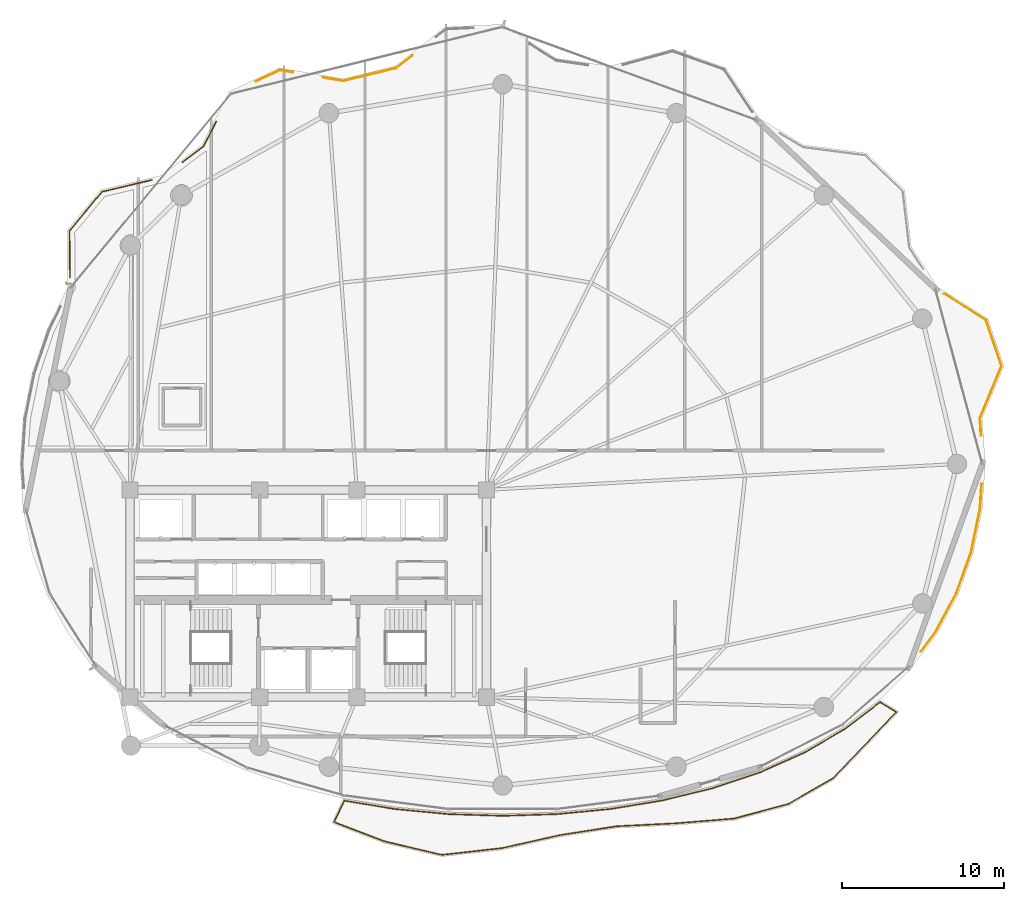
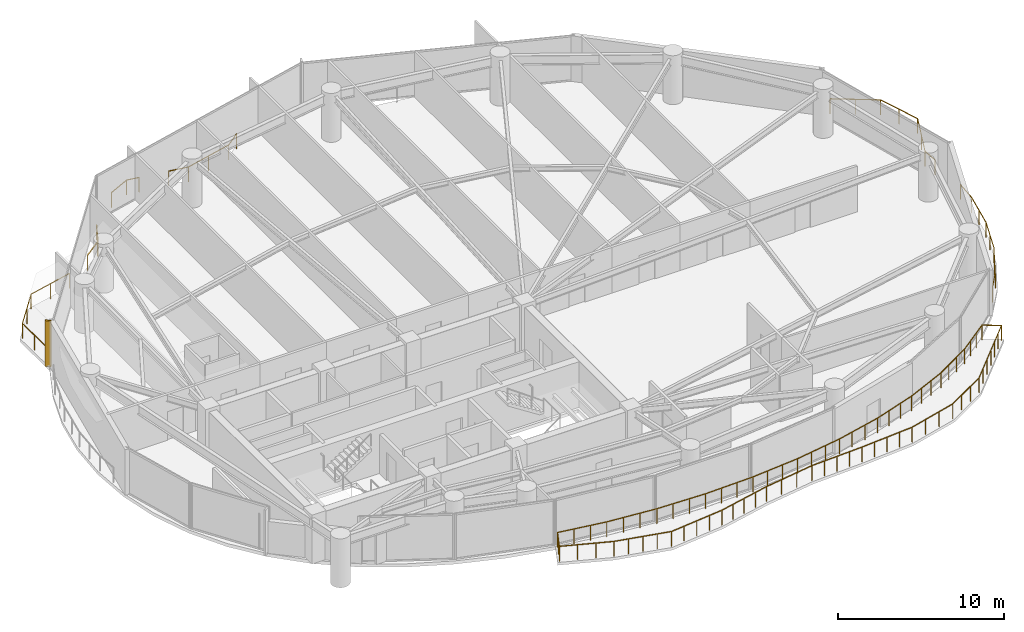
# One storey, part 27 of 28: 7 railings, 1 shading device.
"""IFC4 building model written with IfcOpenShell, lengths in metres."""

from ifc_helpers import new_model, si_unit, direction, frame, origin, origin_2d, place, context, subcontext, project, spatial, rectangle, extrude, material, type_object, element, save


model = new_model("IFC4")

# Units and contexts
model_context = context("Model", 3, precision=1e-05, world=origin(), true_north=direction((0.0, 1.0)))
body_context = subcontext(model_context, "Body", "Model", "MODEL_VIEW")
ifc_project = project(units=[si_unit("LENGTHUNIT", "METRE"), si_unit("AREAUNIT", "SQUARE_METRE"), si_unit("VOLUMEUNIT", "CUBIC_METRE"), si_unit("PLANEANGLEUNIT", "RADIAN"), si_unit("MASSUNIT", "GRAM", prefix="KILO")], contexts=[model_context])

# Site, building, storey
site_placement = place(None, origin())
site = spatial("IfcSite", under=ifc_project, at=site_placement, CompositionType="ELEMENT")
building_placement = place(site_placement, origin())
building = spatial("IfcBuilding", under=site, at=building_placement, Name="Kazevale Care Tower and Concert Hall", CompositionType="ELEMENT")
storey_placement = place(building_placement, frame((0.0, 0.0, 135.0)))
storey = spatial("IfcBuildingStorey", under=building, at=storey_placement, Name="L35", CompositionType="ELEMENT", Elevation=135.0)

# Railings
ifc_material_1 = material(Name="Anodised Bronze Aluminium and Laminated Glass", Category="aluminium")
railing_type = type_object("IfcRailingType", Name="Balcony and Terrace Balustrade 1120", PredefinedType="BALUSTRADE", material=ifc_material_1)
railing_1_placement = place(storey_placement, frame((18.284912109375, 49.514892578125, 0.0)))
element("IfcRailing", 1, at=railing_1_placement, inside=storey, type_object=railing_type, Name="rail:L35:perim:2", PredefinedType="BALUSTRADE", context=body_context, shape_type="SweptSolid", body=[
    extrude(rectangle(XDim=0.048095703125, YDim=0.048095703125, at=origin_2d()), frame((0.0, 0.0, 1.09619140625), z_axis=(-0.009663022595, 0.999953311907, 0.0), x_axis=(-0.999953311907, -0.009663022595, 0.0)), (0.0, 0.0, 1.0), 2.88037109375),
    extrude(rectangle(XDim=0.048095703125, YDim=0.048095703125, at=origin_2d()), frame((-0.02783203125, 2.880126953125, 1.09619140625), z_axis=(0.638670809668, 0.769480082184, 0.0), x_axis=(-0.769480082184, 0.638670809668, 0.0)), (0.0, 0.0, 1.0), 3.128173828125),
    extrude(rectangle(XDim=0.048095703125, YDim=0.048095703125, at=origin_2d()), frame((1.969970703125, 5.287109375, 1.09619140625), z_axis=(0.972887880692, 0.231277261318, 0.0), x_axis=(-0.231277261318, 0.972887880692, 0.0)), (0.0, 0.0, 1.0), 3.173095703125),
    extrude(rectangle(XDim=0.0419921875, YDim=0.0419921875, at=origin_2d()), origin(), (0.0, 0.0, 1.0), 1.072021484375),
    extrude(rectangle(XDim=0.0419921875, YDim=0.0419921875, at=origin_2d()), frame((-0.013916015625, 1.43994140625, 0.0)), (0.0, 0.0, 1.0), 1.072021484375),
    extrude(rectangle(XDim=0.0419921875, YDim=0.0419921875, at=origin_2d()), frame((-0.02783203125, 2.880126953125, 0.0)), (0.0, 0.0, 1.0), 1.072021484375),
    extrude(rectangle(XDim=0.0419921875, YDim=0.0419921875, at=origin_2d()), frame((0.97119140625, 4.08349609375, 0.0)), (0.0, 0.0, 1.0), 1.072021484375),
    extrude(rectangle(XDim=0.0419921875, YDim=0.0419921875, at=origin_2d()), frame((1.969970703125, 5.287109375, 0.0)), (0.0, 0.0, 1.0), 1.072021484375),
    extrude(rectangle(XDim=0.0419921875, YDim=0.0419921875, at=origin_2d()), frame((3.513671875, 5.654052734375, 0.0)), (0.0, 0.0, 1.0), 1.072021484375),
    extrude(rectangle(XDim=0.0419921875, YDim=0.0419921875, at=origin_2d()), frame((5.05712890625, 6.02099609375, 0.0)), (0.0, 0.0, 1.0), 1.072021484375),
])
railing_2_placement = place(storey_placement, frame((25.239013671875, 56.634033203125, 0.0)))
element("IfcRailing", 2, at=railing_2_placement, inside=storey, type_object=railing_type, Name="rail:L35:perim:3", PredefinedType="BALUSTRADE", context=body_context, shape_type="SweptSolid", body=[
    extrude(rectangle(XDim=0.048095703125, YDim=0.048095703125, at=origin_2d()), frame((0.0, 0.0, 1.09619140625), z_axis=(0.797677030582, 0.603084865406, 0.0), x_axis=(-0.603084865406, 0.797677030582, 0.0)), (0.0, 0.0, 1.0), 1.618408203125),
    extrude(rectangle(XDim=0.048095703125, YDim=0.048095703125, at=origin_2d()), frame((1.291015625, 0.97607421875, 1.09619140625), z_axis=(0.456653164706, 0.889644809553, 0.0), x_axis=(-0.889644809553, 0.456653164706, 0.0)), (0.0, 0.0, 1.0), 1.72314453125),
    extrude(rectangle(XDim=0.0419921875, YDim=0.0419921875, at=origin_2d()), origin(), (0.0, 0.0, 1.0), 1.072021484375),
    extrude(rectangle(XDim=0.0419921875, YDim=0.0419921875, at=origin_2d()), frame((1.291015625, 0.97607421875, 0.0)), (0.0, 0.0, 1.0), 1.072021484375),
    extrude(rectangle(XDim=0.0419921875, YDim=0.0419921875, at=origin_2d()), frame((2.077880859375, 2.509033203125, 0.0)), (0.0, 0.0, 1.0), 1.072021484375),
])
railing_3_placement = place(storey_placement, frame((29.77392578125, 61.62109375, 0.0)))
element("IfcRailing", 3, at=railing_3_placement, inside=storey, type_object=railing_type, Name="rail:L35:perim:4", PredefinedType="BALUSTRADE", context=body_context, shape_type="SweptSolid", body=[
    extrude(rectangle(XDim=0.048095703125, YDim=0.048095703125, at=origin_2d()), frame((0.0, 0.0, 1.09619140625), z_axis=(0.904089143641, 0.427343913436, 0.0), x_axis=(-0.427343913436, 0.904089143641, 0.0)), (0.0, 0.0, 1.0), 1.6259765625),
    extrude(rectangle(XDim=0.048095703125, YDim=0.048095703125, at=origin_2d()), frame((1.469970703125, 0.69482421875, 1.09619140625), z_axis=(0.985522864431, -0.169542571894, 0.0), x_axis=(0.169542571894, 0.985522864431, 0.0)), (0.0, 0.0, 1.0), 0.807861328125),
    extrude(rectangle(XDim=0.0419921875, YDim=0.0419921875, at=origin_2d()), origin(), (0.0, 0.0, 1.0), 1.072021484375),
    extrude(rectangle(XDim=0.0419921875, YDim=0.0419921875, at=origin_2d()), frame((1.469970703125, 0.69482421875, 0.0)), (0.0, 0.0, 1.0), 1.072021484375),
    extrude(rectangle(XDim=0.0419921875, YDim=0.0419921875, at=origin_2d()), frame((2.26611328125, 0.557861328125, 0.0)), (0.0, 0.0, 1.0), 1.072021484375),
])
railing_4_placement = place(storey_placement, frame((33.9130859375, 61.85791015625, 0.0)))
element("IfcRailing", 4, at=railing_4_placement, inside=storey, type_object=railing_type, Name="rail:L35:perim:5", PredefinedType="BALUSTRADE", context=body_context, shape_type="SweptSolid", body=[
    extrude(rectangle(XDim=0.048095703125, YDim=0.048095703125, at=origin_2d()), frame((0.0, 0.0, 1.09619140625), z_axis=(0.98554889076, -0.169391215599, 0.0), x_axis=(0.169391215599, 0.98554889076, 0.0)), (0.0, 0.0, 1.0), 1.268310546875),
    extrude(rectangle(XDim=0.048095703125, YDim=0.048095703125, at=origin_2d()), frame((1.25, -0.21484375, 1.09619140625), z_axis=(0.971597725557, 0.236638669056, 0.0), x_axis=(-0.236638669056, 0.971597725557, 0.0)), (0.0, 0.0, 1.0), 3.36328125),
    extrude(rectangle(XDim=0.048095703125, YDim=0.048095703125, at=origin_2d()), frame((4.517822265625, 0.5810546875, 1.09619140625), z_axis=(0.787242218243, 0.616643892224, 0.0), x_axis=(-0.616643892224, 0.787242218243, 0.0)), (0.0, 0.0, 1.0), 1.255126953125),
    extrude(rectangle(XDim=0.0419921875, YDim=0.0419921875, at=origin_2d()), origin(), (0.0, 0.0, 1.0), 1.072021484375),
    extrude(rectangle(XDim=0.0419921875, YDim=0.0419921875, at=origin_2d()), frame((1.25, -0.21484375, 0.0)), (0.0, 0.0, 1.0), 1.072021484375),
    extrude(rectangle(XDim=0.0419921875, YDim=0.0419921875, at=origin_2d()), frame((2.8837890625, 0.18310546875, 0.0)), (0.0, 0.0, 1.0), 1.072021484375),
    extrude(rectangle(XDim=0.0419921875, YDim=0.0419921875, at=origin_2d()), frame((4.517822265625, 0.5810546875, 0.0)), (0.0, 0.0, 1.0), 1.072021484375),
    extrude(rectangle(XDim=0.0419921875, YDim=0.0419921875, at=origin_2d()), frame((5.505859375, 1.35498046875, 0.0)), (0.0, 0.0, 1.0), 1.072021484375),
])
railing_5_placement = place(storey_placement, frame((74.576904296875, 36.76611328125, 0.0)))
element("IfcRailing", 5, at=railing_5_placement, inside=storey, type_object=railing_type, Name="rail:L35:perim:10", PredefinedType="BALUSTRADE", context=body_context, shape_type="SweptSolid", body=[
    extrude(rectangle(XDim=0.048095703125, YDim=0.048095703125, at=origin_2d()), frame((0.0, 0.0, 1.09619140625), z_axis=(-0.066164353261, -0.997808738365, 0.0), x_axis=(0.997808738365, -0.066164353261, 0.0)), (0.0, 0.0, 1.0), 1.553466796875),
    extrude(rectangle(XDim=0.048095703125, YDim=0.048095703125, at=origin_2d()), frame((-0.102783203125, -1.550048828125, 1.09619140625), z_axis=(-0.202611486218, -0.979259202485, 0.0), x_axis=(0.979259202485, -0.202611486218, 0.0)), (0.0, 0.0, 1.0), 2.744873046875),
    extrude(rectangle(XDim=0.048095703125, YDim=0.048095703125, at=origin_2d()), frame((-0.658935546875, -4.238037109375, 1.09619140625), z_axis=(-0.339653342944, -0.940550693279, 0.0), x_axis=(0.940550693279, -0.339653342944, 0.0)), (0.0, 0.0, 1.0), 2.70263671875),
    extrude(rectangle(XDim=0.048095703125, YDim=0.048095703125, at=origin_2d()), frame((-1.576904296875, -6.780029296875, 1.09619140625), z_axis=(-0.473735648305, -0.880667096879, 0.0), x_axis=(0.880667096879, -0.473735648305, 0.0)), (0.0, 0.0, 1.0), 2.6787109375),
    extrude(rectangle(XDim=0.048095703125, YDim=0.048095703125, at=origin_2d()), frame((-2.845947265625, -9.13916015625, 1.09619140625), z_axis=(-0.597990687273, -0.801503049236, 0.0), x_axis=(0.801503049236, -0.597990687273, 0.0)), (0.0, 0.0, 1.0), 1.498291015625),
    extrude(rectangle(XDim=0.0419921875, YDim=0.0419921875, at=origin_2d()), origin(), (0.0, 0.0, 1.0), 1.072021484375),
    extrude(rectangle(XDim=0.0419921875, YDim=0.0419921875, at=origin_2d()), frame((-0.102783203125, -1.550048828125, 0.0)), (0.0, 0.0, 1.0), 1.072021484375),
    extrude(rectangle(XDim=0.0419921875, YDim=0.0419921875, at=origin_2d()), frame((-0.380859375, -2.89404296875, 0.0)), (0.0, 0.0, 1.0), 1.072021484375),
    extrude(rectangle(XDim=0.0419921875, YDim=0.0419921875, at=origin_2d()), frame((-0.658935546875, -4.238037109375, 0.0)), (0.0, 0.0, 1.0), 1.072021484375),
    extrude(rectangle(XDim=0.0419921875, YDim=0.0419921875, at=origin_2d()), frame((-1.117919921875, -5.509033203125, 0.0)), (0.0, 0.0, 1.0), 1.072021484375),
    extrude(rectangle(XDim=0.0419921875, YDim=0.0419921875, at=origin_2d()), frame((-1.576904296875, -6.780029296875, 0.0)), (0.0, 0.0, 1.0), 1.072021484375),
    extrude(rectangle(XDim=0.0419921875, YDim=0.0419921875, at=origin_2d()), frame((-2.21142578125, -7.95947265625, 0.0)), (0.0, 0.0, 1.0), 1.072021484375),
    extrude(rectangle(XDim=0.0419921875, YDim=0.0419921875, at=origin_2d()), frame((-2.845947265625, -9.13916015625, 0.0)), (0.0, 0.0, 1.0), 1.072021484375),
    extrude(rectangle(XDim=0.0419921875, YDim=0.0419921875, at=origin_2d()), frame((-3.741943359375, -10.340087890625, 0.0)), (0.0, 0.0, 1.0), 1.072021484375),
])
railing_6_placement = place(storey_placement, frame((72.26904296875, 48.50390625, 0.0)))
element("IfcRailing", 6, at=railing_6_placement, inside=storey, type_object=railing_type, Name="rail:L35:perim:11", PredefinedType="BALUSTRADE", context=body_context, shape_type="SweptSolid", body=[
    extrude(rectangle(XDim=0.048095703125, YDim=0.048095703125, at=origin_2d()), frame((0.0, 0.0, 1.09619140625), z_axis=(0.845853460202, -0.533415338985, 0.0), x_axis=(0.533415338985, 0.845853460202, 0.0)), (0.0, 0.0, 1.0), 3.0537109375),
    extrude(rectangle(XDim=0.048095703125, YDim=0.048095703125, at=origin_2d()), frame((2.5830078125, -1.62890625, 1.09619140625), z_axis=(0.319318641442, -0.94764740554, 0.0), x_axis=(0.94764740554, 0.319318641442, 0.0)), (0.0, 0.0, 1.0), 2.984130859375),
    extrude(rectangle(XDim=0.048095703125, YDim=0.048095703125, at=origin_2d()), frame((3.535888671875, -4.456787109375, 1.09619140625), z_axis=(-0.384555415187, -0.923101908052, 0.0), x_axis=(0.923101908052, -0.384555415187, 0.0)), (0.0, 0.0, 1.0), 3.468994140625),
    extrude(rectangle(XDim=0.048095703125, YDim=0.048095703125, at=origin_2d()), frame((2.201904296875, -7.658935546875, 1.09619140625), z_axis=(0.06569131841, -0.997839992527, 0.0), x_axis=(0.997839992527, 0.06569131841, 0.0)), (0.0, 0.0, 1.0), 1.096435546875),
    extrude(rectangle(XDim=0.0419921875, YDim=0.0419921875, at=origin_2d()), origin(), (0.0, 0.0, 1.0), 1.072021484375),
    extrude(rectangle(XDim=0.0419921875, YDim=0.0419921875, at=origin_2d()), frame((1.29150390625, -0.814453125, 0.0)), (0.0, 0.0, 1.0), 1.072021484375),
    extrude(rectangle(XDim=0.0419921875, YDim=0.0419921875, at=origin_2d()), frame((2.5830078125, -1.62890625, 0.0)), (0.0, 0.0, 1.0), 1.072021484375),
    extrude(rectangle(XDim=0.0419921875, YDim=0.0419921875, at=origin_2d()), frame((3.0595703125, -3.04296875, 0.0)), (0.0, 0.0, 1.0), 1.072021484375),
    extrude(rectangle(XDim=0.0419921875, YDim=0.0419921875, at=origin_2d()), frame((3.535888671875, -4.456787109375, 0.0)), (0.0, 0.0, 1.0), 1.072021484375),
    extrude(rectangle(XDim=0.0419921875, YDim=0.0419921875, at=origin_2d()), frame((2.868896484375, -6.057861328125, 0.0)), (0.0, 0.0, 1.0), 1.072021484375),
    extrude(rectangle(XDim=0.0419921875, YDim=0.0419921875, at=origin_2d()), frame((2.201904296875, -7.658935546875, 0.0)), (0.0, 0.0, 1.0), 1.072021484375),
    extrude(rectangle(XDim=0.0419921875, YDim=0.0419921875, at=origin_2d()), frame((2.27392578125, -8.7529296875, 0.0)), (0.0, 0.0, 1.0), 1.072021484375),
])
railing_7_placement = place(storey_placement, frame((35.22509765625, 17.2099609375, 0.0)))
element("IfcRailing", 7, at=railing_7_placement, inside=storey, type_object=railing_type, Name="rail:L35:balcony", PredefinedType="BALUSTRADE", context=body_context, shape_type="SweptSolid", body=[
    extrude(rectangle(XDim=0.048095703125, YDim=0.048095703125, at=origin_2d()), frame((0.0, 0.0, 1.09619140625), z_axis=(0.986720826515, -0.162425399869, 0.0), x_axis=(0.162425399869, 0.986720826515, 0.0)), (0.0, 0.0, 1.0), 3.169921875),
    extrude(rectangle(XDim=0.048095703125, YDim=0.048095703125, at=origin_2d()), frame((3.1279296875, -0.514892578125, 1.09619140625), z_axis=(0.995477928413, -0.09499312629, 0.0), x_axis=(0.09499312629, 0.995477928413, 0.0)), (0.0, 0.0, 1.0), 3.31787109375),
    extrude(rectangle(XDim=0.048095703125, YDim=0.048095703125, at=origin_2d()), frame((6.430908203125, -0.830078125, 1.09619140625), z_axis=(0.999507580629, -0.031378276971, 0.0), x_axis=(0.031378276971, 0.999507580629, 0.0)), (0.0, 0.0, 1.0), 3.345703125),
    extrude(rectangle(XDim=0.048095703125, YDim=0.048095703125, at=origin_2d()), frame((9.77490234375, -0.93505859375, 1.09619140625), z_axis=(0.999507580629, 0.031378276971, 0.0), x_axis=(-0.031378276971, 0.999507580629, 0.0)), (0.0, 0.0, 1.0), 3.345703125),
    extrude(rectangle(XDim=0.048095703125, YDim=0.048095703125, at=origin_2d()), frame((13.118896484375, -0.830078125, 1.09619140625), z_axis=(0.995477928413, 0.09499312629, 0.0), x_axis=(-0.09499312629, 0.995477928413, 0.0)), (0.0, 0.0, 1.0), 3.31787109375),
    extrude(rectangle(XDim=0.048095703125, YDim=0.048095703125, at=origin_2d()), frame((16.421875, -0.514892578125, 1.09619140625), z_axis=(0.986673526711, 0.162712481659, 0.0), x_axis=(-0.162712481659, 0.986673526711, 0.0)), (0.0, 0.0, 1.0), 3.263427734375),
    extrude(rectangle(XDim=0.048095703125, YDim=0.048095703125, at=origin_2d()), frame((19.641845703125, 0.01611328125, 1.09619140625), z_axis=(0.971769261323, 0.235933259095, 0.0), x_axis=(-0.235933259095, 0.971769261323, 0.0)), (0.0, 0.0, 1.0), 3.187255859375),
    extrude(rectangle(XDim=0.048095703125, YDim=0.048095703125, at=origin_2d()), frame((22.739013671875, 0.76806640625, 1.09619140625), z_axis=(0.948264523365, 0.317481328155, 0.0), x_axis=(-0.317481328155, 0.948264523365, 0.0)), (0.0, 0.0, 1.0), 3.095947265625),
    extrude(rectangle(XDim=0.048095703125, YDim=0.048095703125, at=origin_2d()), frame((25.6748046875, 1.7509765625, 1.09619140625), z_axis=(0.913377633239, 0.407113373766, 0.0), x_axis=(-0.407113373766, 0.913377633239, 0.0)), (0.0, 0.0, 1.0), 2.99658203125),
    extrude(rectangle(XDim=0.048095703125, YDim=0.048095703125, at=origin_2d()), frame((28.411865234375, 2.970947265625, 1.09619140625), z_axis=(0.863507127078, 0.504336635082, 0.0), x_axis=(-0.504336635082, 0.863507127078, 0.0)), (0.0, 0.0, 1.0), 2.901123046875),
    extrude(rectangle(XDim=0.048095703125, YDim=0.048095703125, at=origin_2d()), frame((30.9169921875, 4.43408203125, 1.09619140625), z_axis=(0.795030778338, 0.606569090455, 0.0), x_axis=(-0.606569090455, 0.795030778338, 0.0)), (0.0, 0.0, 1.0), 2.726806640625),
    extrude(rectangle(XDim=0.048095703125, YDim=0.048095703125, at=origin_2d()), frame((33.0849609375, 6.088134765625, 1.09619140625), z_axis=(0.847893082394, -0.530167257409, 0.0), x_axis=(0.530167257409, 0.847893082394, 0.0)), (0.0, 0.0, 1.0), 1.17333984375),
    extrude(rectangle(XDim=0.048095703125, YDim=0.048095703125, at=origin_2d()), frame((34.079833984375, 5.466064453125, 1.09619140625), z_axis=(-0.691819317021, -0.722070656235, 0.0), x_axis=(0.722070656235, -0.691819317021, 0.0)), (0.0, 0.0, 1.0), 2.711669921875),
    extrude(rectangle(XDim=0.048095703125, YDim=0.048095703125, at=origin_2d()), frame((32.203857421875, 3.508056640625, 1.09619140625), z_axis=(-0.692373129824, -0.721539637926, 0.0), x_axis=(0.721539637926, -0.692373129824, 0.0)), (0.0, 0.0, 1.0), 2.946533203125),
    extrude(rectangle(XDim=0.048095703125, YDim=0.048095703125, at=origin_2d()), frame((30.163818359375, 1.382080078125, 1.09619140625), z_axis=(-0.866344262418, -0.499447313513, 0.0), x_axis=(0.499447313513, -0.866344262418, 0.0)), (0.0, 0.0, 1.0), 3.17529296875),
    extrude(rectangle(XDim=0.048095703125, YDim=0.048095703125, at=origin_2d()), frame((27.412841796875, -0.203857421875, 1.09619140625), z_axis=(-0.965789205563, -0.259328383365, 0.0), x_axis=(0.259328383365, -0.965789205563, 0.0)), (0.0, 0.0, 1.0), 3.474853515625),
    extrude(rectangle(XDim=0.048095703125, YDim=0.048095703125, at=origin_2d()), frame((24.056884765625, -1.10498046875, 1.09619140625), z_axis=(-0.99674250698, -0.08064970415, 0.0), x_axis=(0.08064970415, -0.99674250698, 0.0)), (0.0, 0.0, 1.0), 3.6689453125),
    extrude(rectangle(XDim=0.048095703125, YDim=0.048095703125, at=origin_2d()), frame((20.39990234375, -1.40087890625, 1.09619140625), z_axis=(-0.998760611033, -0.049771898194, 0.0), x_axis=(0.049771898194, -0.998760611033, 0.0)), (0.0, 0.0, 1.0), 3.600341796875),
    extrude(rectangle(XDim=0.048095703125, YDim=0.048095703125, at=origin_2d()), frame((16.803955078125, -1.580078125, 1.09619140625), z_axis=(-0.988120917742, -0.153678404213, 0.0), x_axis=(0.153678404213, -0.988120917742, 0.0)), (0.0, 0.0, 1.0), 3.518798828125),
    extrude(rectangle(XDim=0.048095703125, YDim=0.048095703125, at=origin_2d()), frame((13.326904296875, -2.120849609375, 1.09619140625), z_axis=(-0.97558083091, -0.219640711983, 0.0), x_axis=(0.219640711983, -0.97558083091, 0.0)), (0.0, 0.0, 1.0), 3.661376953125),
    extrude(rectangle(XDim=0.048095703125, YDim=0.048095703125, at=origin_2d()), frame((9.7548828125, -2.925048828125, 1.09619140625), z_axis=(-0.993778008457, -0.111378947326, 0.0), x_axis=(0.111378947326, -0.993778008457, 0.0)), (0.0, 0.0, 1.0), 3.761474609375),
    extrude(rectangle(XDim=0.048095703125, YDim=0.048095703125, at=origin_2d()), frame((6.016845703125, -3.343994140625, 1.09619140625), z_axis=(-0.973441830455, 0.228934494389, 0.0), x_axis=(-0.228934494389, -0.973441830455, 0.0)), (0.0, 0.0, 1.0), 3.63427734375),
    extrude(rectangle(XDim=0.048095703125, YDim=0.048095703125, at=origin_2d()), frame((2.47900390625, -2.511962890625, 1.09619140625), z_axis=(-0.93370239713, 0.358050043421, 0.0), x_axis=(-0.358050043421, -0.93370239713, 0.0)), (0.0, 0.0, 1.0), 3.328857421875),
    extrude(rectangle(XDim=0.048095703125, YDim=0.048095703125, at=origin_2d()), frame((-0.629150390625, -1.320068359375, 1.09619140625), z_axis=(0.430238145043, 0.902715425009, 0.0), x_axis=(-0.902715425009, 0.430238145043, 0.0)), (0.0, 0.0, 1.0), 1.46240234375),
    extrude(rectangle(XDim=0.0419921875, YDim=0.0419921875, at=origin_2d()), origin(), (0.0, 0.0, 1.0), 1.072021484375),
    extrude(rectangle(XDim=0.0419921875, YDim=0.0419921875, at=origin_2d()), frame((1.042724609375, -0.171630859375, 0.0)), (0.0, 0.0, 1.0), 1.072021484375),
    extrude(rectangle(XDim=0.0419921875, YDim=0.0419921875, at=origin_2d()), frame((2.085205078125, -0.34326171875, 0.0)), (0.0, 0.0, 1.0), 1.072021484375),
    extrude(rectangle(XDim=0.0419921875, YDim=0.0419921875, at=origin_2d()), frame((3.1279296875, -0.514892578125, 0.0)), (0.0, 0.0, 1.0), 1.072021484375),
    extrude(rectangle(XDim=0.0419921875, YDim=0.0419921875, at=origin_2d()), frame((4.22900390625, -0.619873046875, 0.0)), (0.0, 0.0, 1.0), 1.072021484375),
    extrude(rectangle(XDim=0.0419921875, YDim=0.0419921875, at=origin_2d()), frame((5.329833984375, -0.72509765625, 0.0)), (0.0, 0.0, 1.0), 1.072021484375),
    extrude(rectangle(XDim=0.0419921875, YDim=0.0419921875, at=origin_2d()), frame((6.430908203125, -0.830078125, 0.0)), (0.0, 0.0, 1.0), 1.072021484375),
    extrude(rectangle(XDim=0.0419921875, YDim=0.0419921875, at=origin_2d()), frame((7.545654296875, -0.864990234375, 0.0)), (0.0, 0.0, 1.0), 1.072021484375),
    extrude(rectangle(XDim=0.0419921875, YDim=0.0419921875, at=origin_2d()), frame((8.66015625, -0.900146484375, 0.0)), (0.0, 0.0, 1.0), 1.072021484375),
    extrude(rectangle(XDim=0.0419921875, YDim=0.0419921875, at=origin_2d()), frame((9.77490234375, -0.93505859375, 0.0)), (0.0, 0.0, 1.0), 1.072021484375),
    extrude(rectangle(XDim=0.0419921875, YDim=0.0419921875, at=origin_2d()), frame((10.8896484375, -0.900146484375, 0.0)), (0.0, 0.0, 1.0), 1.072021484375),
    extrude(rectangle(XDim=0.0419921875, YDim=0.0419921875, at=origin_2d()), frame((12.004150390625, -0.864990234375, 0.0)), (0.0, 0.0, 1.0), 1.072021484375),
    extrude(rectangle(XDim=0.0419921875, YDim=0.0419921875, at=origin_2d()), frame((13.118896484375, -0.830078125, 0.0)), (0.0, 0.0, 1.0), 1.072021484375),
    extrude(rectangle(XDim=0.0419921875, YDim=0.0419921875, at=origin_2d()), frame((14.219970703125, -0.72509765625, 0.0)), (0.0, 0.0, 1.0), 1.072021484375),
    extrude(rectangle(XDim=0.0419921875, YDim=0.0419921875, at=origin_2d()), frame((15.32080078125, -0.619873046875, 0.0)), (0.0, 0.0, 1.0), 1.072021484375),
    extrude(rectangle(XDim=0.0419921875, YDim=0.0419921875, at=origin_2d()), frame((16.421875, -0.514892578125, 0.0)), (0.0, 0.0, 1.0), 1.072021484375),
    extrude(rectangle(XDim=0.0419921875, YDim=0.0419921875, at=origin_2d()), frame((17.4951171875, -0.337890625, 0.0)), (0.0, 0.0, 1.0), 1.072021484375),
    extrude(rectangle(XDim=0.0419921875, YDim=0.0419921875, at=origin_2d()), frame((18.568603515625, -0.160888671875, 0.0)), (0.0, 0.0, 1.0), 1.072021484375),
    extrude(rectangle(XDim=0.0419921875, YDim=0.0419921875, at=origin_2d()), frame((19.641845703125, 0.01611328125, 0.0)), (0.0, 0.0, 1.0), 1.072021484375),
    extrude(rectangle(XDim=0.0419921875, YDim=0.0419921875, at=origin_2d()), frame((20.67431640625, 0.266845703125, 0.0)), (0.0, 0.0, 1.0), 1.072021484375),
    extrude(rectangle(XDim=0.0419921875, YDim=0.0419921875, at=origin_2d()), frame((21.70654296875, 0.517333984375, 0.0)), (0.0, 0.0, 1.0), 1.072021484375),
    extrude(rectangle(XDim=0.0419921875, YDim=0.0419921875, at=origin_2d()), frame((22.739013671875, 0.76806640625, 0.0)), (0.0, 0.0, 1.0), 1.072021484375),
    extrude(rectangle(XDim=0.0419921875, YDim=0.0419921875, at=origin_2d()), frame((23.717529296875, 1.095703125, 0.0)), (0.0, 0.0, 1.0), 1.072021484375),
    extrude(rectangle(XDim=0.0419921875, YDim=0.0419921875, at=origin_2d()), frame((24.6962890625, 1.42333984375, 0.0)), (0.0, 0.0, 1.0), 1.072021484375),
    extrude(rectangle(XDim=0.0419921875, YDim=0.0419921875, at=origin_2d()), frame((25.6748046875, 1.7509765625, 0.0)), (0.0, 0.0, 1.0), 1.072021484375),
    extrude(rectangle(XDim=0.0419921875, YDim=0.0419921875, at=origin_2d()), frame((26.587158203125, 2.15771484375, 0.0)), (0.0, 0.0, 1.0), 1.072021484375),
    extrude(rectangle(XDim=0.0419921875, YDim=0.0419921875, at=origin_2d()), frame((27.49951171875, 2.564208984375, 0.0)), (0.0, 0.0, 1.0), 1.072021484375),
    extrude(rectangle(XDim=0.0419921875, YDim=0.0419921875, at=origin_2d()), frame((28.411865234375, 2.970947265625, 0.0)), (0.0, 0.0, 1.0), 1.072021484375),
    extrude(rectangle(XDim=0.0419921875, YDim=0.0419921875, at=origin_2d()), frame((29.246826171875, 3.458740234375, 0.0)), (0.0, 0.0, 1.0), 1.072021484375),
    extrude(rectangle(XDim=0.0419921875, YDim=0.0419921875, at=origin_2d()), frame((30.08203125, 3.9462890625, 0.0)), (0.0, 0.0, 1.0), 1.072021484375),
    extrude(rectangle(XDim=0.0419921875, YDim=0.0419921875, at=origin_2d()), frame((30.9169921875, 4.43408203125, 0.0)), (0.0, 0.0, 1.0), 1.072021484375),
    extrude(rectangle(XDim=0.0419921875, YDim=0.0419921875, at=origin_2d()), frame((31.6396484375, 4.9853515625, 0.0)), (0.0, 0.0, 1.0), 1.072021484375),
    extrude(rectangle(XDim=0.0419921875, YDim=0.0419921875, at=origin_2d()), frame((32.3623046875, 5.536865234375, 0.0)), (0.0, 0.0, 1.0), 1.072021484375),
    extrude(rectangle(XDim=0.0419921875, YDim=0.0419921875, at=origin_2d()), frame((33.0849609375, 6.088134765625, 0.0)), (0.0, 0.0, 1.0), 1.072021484375),
    extrude(rectangle(XDim=0.0419921875, YDim=0.0419921875, at=origin_2d()), frame((34.079833984375, 5.466064453125, 0.0)), (0.0, 0.0, 1.0), 1.072021484375),
    extrude(rectangle(XDim=0.0419921875, YDim=0.0419921875, at=origin_2d()), frame((33.45458984375, 4.8134765625, 0.0)), (0.0, 0.0, 1.0), 1.072021484375),
    extrude(rectangle(XDim=0.0419921875, YDim=0.0419921875, at=origin_2d()), frame((32.8291015625, 4.16064453125, 0.0)), (0.0, 0.0, 1.0), 1.072021484375),
    extrude(rectangle(XDim=0.0419921875, YDim=0.0419921875, at=origin_2d()), frame((32.203857421875, 3.508056640625, 0.0)), (0.0, 0.0, 1.0), 1.072021484375),
    extrude(rectangle(XDim=0.0419921875, YDim=0.0419921875, at=origin_2d()), frame((31.52392578125, 2.79931640625, 0.0)), (0.0, 0.0, 1.0), 1.072021484375),
    extrude(rectangle(XDim=0.0419921875, YDim=0.0419921875, at=origin_2d()), frame((30.84375, 2.0908203125, 0.0)), (0.0, 0.0, 1.0), 1.072021484375),
    extrude(rectangle(XDim=0.0419921875, YDim=0.0419921875, at=origin_2d()), frame((30.163818359375, 1.382080078125, 0.0)), (0.0, 0.0, 1.0), 1.072021484375),
    extrude(rectangle(XDim=0.0419921875, YDim=0.0419921875, at=origin_2d()), frame((29.246826171875, 0.853515625, 0.0)), (0.0, 0.0, 1.0), 1.072021484375),
    extrude(rectangle(XDim=0.0419921875, YDim=0.0419921875, at=origin_2d()), frame((28.329833984375, 0.32470703125, 0.0)), (0.0, 0.0, 1.0), 1.072021484375),
    extrude(rectangle(XDim=0.0419921875, YDim=0.0419921875, at=origin_2d()), frame((27.412841796875, -0.203857421875, 0.0)), (0.0, 0.0, 1.0), 1.072021484375),
    extrude(rectangle(XDim=0.0419921875, YDim=0.0419921875, at=origin_2d()), frame((26.294189453125, -0.504150390625, 0.0)), (0.0, 0.0, 1.0), 1.072021484375),
    extrude(rectangle(XDim=0.0419921875, YDim=0.0419921875, at=origin_2d()), frame((25.175537109375, -0.8046875, 0.0)), (0.0, 0.0, 1.0), 1.072021484375),
    extrude(rectangle(XDim=0.0419921875, YDim=0.0419921875, at=origin_2d()), frame((24.056884765625, -1.10498046875, 0.0)), (0.0, 0.0, 1.0), 1.072021484375),
    extrude(rectangle(XDim=0.0419921875, YDim=0.0419921875, at=origin_2d()), frame((23.142578125, -1.178955078125, 0.0)), (0.0, 0.0, 1.0), 1.072021484375),
    extrude(rectangle(XDim=0.0419921875, YDim=0.0419921875, at=origin_2d()), frame((22.228515625, -1.2529296875, 0.0)), (0.0, 0.0, 1.0), 1.072021484375),
    extrude(rectangle(XDim=0.0419921875, YDim=0.0419921875, at=origin_2d()), frame((21.314208984375, -1.326904296875, 0.0)), (0.0, 0.0, 1.0), 1.072021484375),
    extrude(rectangle(XDim=0.0419921875, YDim=0.0419921875, at=origin_2d()), frame((20.39990234375, -1.40087890625, 0.0)), (0.0, 0.0, 1.0), 1.072021484375),
    extrude(rectangle(XDim=0.0419921875, YDim=0.0419921875, at=origin_2d()), frame((19.5009765625, -1.44580078125, 0.0)), (0.0, 0.0, 1.0), 1.072021484375),
    extrude(rectangle(XDim=0.0419921875, YDim=0.0419921875, at=origin_2d()), frame((18.60205078125, -1.490478515625, 0.0)), (0.0, 0.0, 1.0), 1.072021484375),
    extrude(rectangle(XDim=0.0419921875, YDim=0.0419921875, at=origin_2d()), frame((17.702880859375, -1.53515625, 0.0)), (0.0, 0.0, 1.0), 1.072021484375),
    extrude(rectangle(XDim=0.0419921875, YDim=0.0419921875, at=origin_2d()), frame((16.803955078125, -1.580078125, 0.0)), (0.0, 0.0, 1.0), 1.072021484375),
    extrude(rectangle(XDim=0.0419921875, YDim=0.0419921875, at=origin_2d()), frame((15.64501953125, -1.76025390625, 0.0)), (0.0, 0.0, 1.0), 1.072021484375),
    extrude(rectangle(XDim=0.0419921875, YDim=0.0419921875, at=origin_2d()), frame((14.48583984375, -1.940673828125, 0.0)), (0.0, 0.0, 1.0), 1.072021484375),
    extrude(rectangle(XDim=0.0419921875, YDim=0.0419921875, at=origin_2d()), frame((13.326904296875, -2.120849609375, 0.0)), (0.0, 0.0, 1.0), 1.072021484375),
    extrude(rectangle(XDim=0.0419921875, YDim=0.0419921875, at=origin_2d()), frame((12.433837890625, -2.32177734375, 0.0)), (0.0, 0.0, 1.0), 1.072021484375),
    extrude(rectangle(XDim=0.0419921875, YDim=0.0419921875, at=origin_2d()), frame((11.541015625, -2.52294921875, 0.0)), (0.0, 0.0, 1.0), 1.072021484375),
    extrude(rectangle(XDim=0.0419921875, YDim=0.0419921875, at=origin_2d()), frame((10.64794921875, -2.72412109375, 0.0)), (0.0, 0.0, 1.0), 1.072021484375),
    extrude(rectangle(XDim=0.0419921875, YDim=0.0419921875, at=origin_2d()), frame((9.7548828125, -2.925048828125, 0.0)), (0.0, 0.0, 1.0), 1.072021484375),
    extrude(rectangle(XDim=0.0419921875, YDim=0.0419921875, at=origin_2d()), frame((8.8203125, -3.02978515625, 0.0)), (0.0, 0.0, 1.0), 1.072021484375),
    extrude(rectangle(XDim=0.0419921875, YDim=0.0419921875, at=origin_2d()), frame((7.8857421875, -3.134521484375, 0.0)), (0.0, 0.0, 1.0), 1.072021484375),
    extrude(rectangle(XDim=0.0419921875, YDim=0.0419921875, at=origin_2d()), frame((6.951416015625, -3.2392578125, 0.0)), (0.0, 0.0, 1.0), 1.072021484375),
    extrude(rectangle(XDim=0.0419921875, YDim=0.0419921875, at=origin_2d()), frame((6.016845703125, -3.343994140625, 0.0)), (0.0, 0.0, 1.0), 1.072021484375),
    extrude(rectangle(XDim=0.0419921875, YDim=0.0419921875, at=origin_2d()), frame((5.13232421875, -3.135986328125, 0.0)), (0.0, 0.0, 1.0), 1.072021484375),
    extrude(rectangle(XDim=0.0419921875, YDim=0.0419921875, at=origin_2d()), frame((4.248046875, -2.927978515625, 0.0)), (0.0, 0.0, 1.0), 1.072021484375),
    extrude(rectangle(XDim=0.0419921875, YDim=0.0419921875, at=origin_2d()), frame((3.363525390625, -2.719970703125, 0.0)), (0.0, 0.0, 1.0), 1.072021484375),
    extrude(rectangle(XDim=0.0419921875, YDim=0.0419921875, at=origin_2d()), frame((2.47900390625, -2.511962890625, 0.0)), (0.0, 0.0, 1.0), 1.072021484375),
    extrude(rectangle(XDim=0.0419921875, YDim=0.0419921875, at=origin_2d()), frame((1.44287109375, -2.11474609375, 0.0)), (0.0, 0.0, 1.0), 1.072021484375),
    extrude(rectangle(XDim=0.0419921875, YDim=0.0419921875, at=origin_2d()), frame((0.406982421875, -1.71728515625, 0.0)), (0.0, 0.0, 1.0), 1.072021484375),
    extrude(rectangle(XDim=0.0419921875, YDim=0.0419921875, at=origin_2d()), frame((-0.629150390625, -1.320068359375, 0.0)), (0.0, 0.0, 1.0), 1.072021484375),
    extrude(rectangle(XDim=0.0419921875, YDim=0.0419921875, at=origin_2d()), frame((-0.314453125, -0.66015625, 0.0)), (0.0, 0.0, 1.0), 1.072021484375),
])

# Shading device
ifc_material_2 = material(Name="Honed Ochre Limestone", Category="masonry")
shading_device_type = type_object("IfcShadingDeviceType", Name="Vertical Honed Limestone Fin FIN-01", PredefinedType="USERDEFINED", material=ifc_material_2)
shading_device_placement = place(storey_placement, frame((18.14501953125, 49.099853515625, 0.0), z_axis=(0.0, 0.0, 1.0), x_axis=(-0.770068049148, 0.637961754089, 0.0)))
element("IfcShadingDevice", 8, at=shading_device_placement, inside=storey, type_object=shading_device_type, Name="cw:L35:f14:fin", ObjectType="FIN", PredefinedType="USERDEFINED", context=body_context, shape_type="SweptSolid", body=[
    extrude(rectangle(XDim=0.3798828125, YDim=0.1201171875, at=origin_2d()), origin(), (0.0, 0.0, 1.0), 3.360107421875),
])

save(model, "model.ifc")
